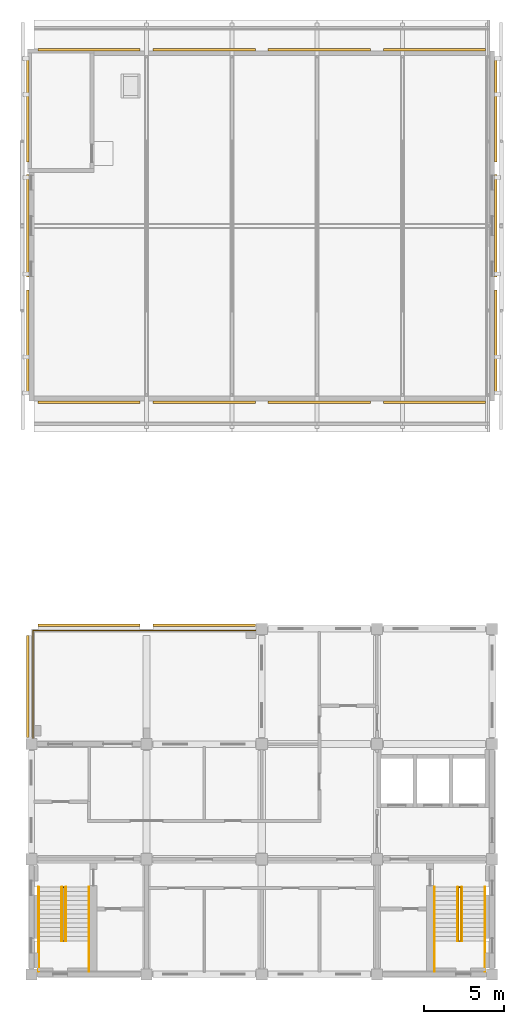
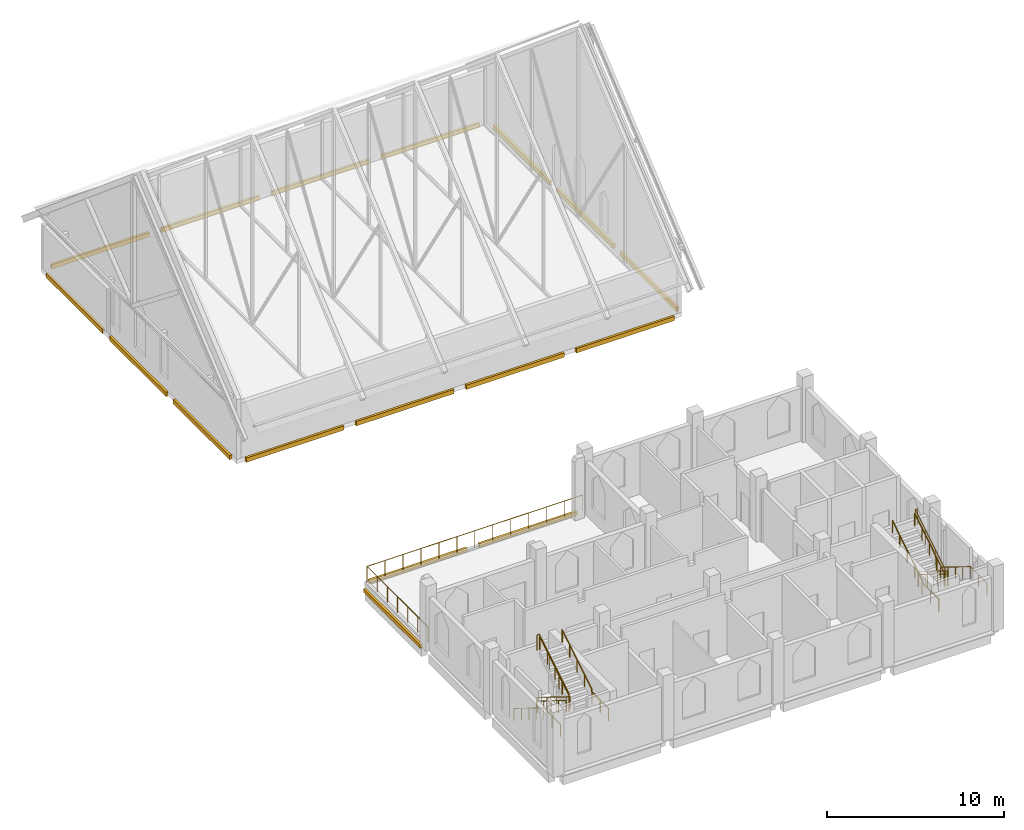
# One storey, part 29 of 29: 17 coverings, 11 railings.
"""IFC4 building model written with IfcOpenShell, lengths in metres."""

from ifc_helpers import new_model, si_unit, direction, frame, origin, origin_2d, place, context, subcontext, project, spatial, rectangle, circle, extrude, material, type_object, element, save


model = new_model("IFC4")

# Units and contexts
model_context = context("Model", 3, precision=1e-05, world=origin(), true_north=direction((0.0, 1.0)))
body_context = subcontext(model_context, "Body", "Model", "MODEL_VIEW")
ifc_project = project(units=[si_unit("LENGTHUNIT", "METRE"), si_unit("AREAUNIT", "SQUARE_METRE"), si_unit("VOLUMEUNIT", "CUBIC_METRE"), si_unit("PLANEANGLEUNIT", "RADIAN"), si_unit("MASSUNIT", "GRAM", prefix="KILO")], contexts=[model_context])

# Site, building, storey
site_placement = place(None, origin())
site = spatial("IfcSite", under=ifc_project, at=site_placement, CompositionType="ELEMENT")
building_placement = place(site_placement, origin())
building = spatial("IfcBuilding", under=site, at=building_placement, Name="Silangan Lancet Faculty of Sciences", CompositionType="ELEMENT")
storey_placement = place(building_placement, frame((0.0, 0.0, 54.300048828125)))
storey = spatial("IfcBuildingStorey", under=building, at=storey_placement, Name="L11", CompositionType="ELEMENT", Elevation=54.300048828125)

# Coverings
ifc_material_1 = material(Name="Concrete C40/50 precast", Category="concrete")
covering_type_1 = type_object("IfcCoveringType", Name="SC1 Precast string course 250 x 150", PredefinedType="CLADDING", material=ifc_material_1)
for number, where, z_axis, x_axis, name in (
    (1, (10.800048828125, 21.824951171875, -0.25), (0.0, 0.0, 1.0), (1.0, 0.0, 0.0), "SC-TERRACE-N-ST-02"),
    (2, (3.60009765625, 21.824951171875, -0.25), (0.0, 0.0, 1.0), (1.0, 0.0, 0.0), "SC-TERRACE-N-ST-03"),
):
    element("IfcCovering", number, at=place(storey_placement, frame(where, z_axis=z_axis, x_axis=x_axis)), inside=storey, type_object=covering_type_1, Name=name, PredefinedType="CLADDING", context=body_context, shape_type="SweptSolid", body=[
        extrude(rectangle(XDim=6.39990234375, YDim=0.14990234375, at=origin_2d()), origin(), (0.0, 0.0, 1.0), 0.25),
    ])
covering_placement = place(storey_placement, frame((-0.22509765625, 18.0, -0.25), z_axis=(0.0, 0.0, 1.0), x_axis=(1.0, 0.0, 0.0)))
element("IfcCovering", 3, at=covering_placement, inside=storey, type_object=covering_type_1, Name="SC-TERRACE-W-ST-02", PredefinedType="CLADDING", context=body_context, shape_type="SweptSolid", body=[
    extrude(rectangle(XDim=0.14990234375, YDim=6.39990234375, at=origin_2d()), origin(), (0.0, 0.0, 1.0), 0.25),
])
ifc_material_2 = material(Name="Concrete C40/50 precast", Category="concrete")
covering_type_2 = type_object("IfcCoveringType", Name="SC2 Precast string course 300 x 150", PredefinedType="CLADDING", material=ifc_material_2)
for number, where, z_axis, x_axis, name in (
    (4, (29.02490234375, 39.60009765625, -0.30029296875), (0.0, 0.0, 1.0), (1.0, 0.0, 0.0), "SC-ROOF-E-NT-00"),
    (5, (29.02490234375, 46.800048828125, -0.30029296875), (0.0, 0.0, 1.0), (1.0, 0.0, 0.0), "SC-ROOF-E-NT-01"),
    (6, (29.02490234375, 54.0, -0.30029296875), (0.0, 0.0, 1.0), (1.0, 0.0, 0.0), "SC-ROOF-E-NT-02"),
):
    element("IfcCovering", number, at=place(storey_placement, frame(where, z_axis=z_axis, x_axis=x_axis)), inside=storey, type_object=covering_type_2, Name=name, PredefinedType="CLADDING", context=body_context, shape_type="SweptSolid", body=[
        extrude(rectangle(XDim=0.14990234375, YDim=6.39990234375, at=origin_2d()), origin(), (0.0, 0.0, 1.0), 0.300048828125),
    ])
for number, where, z_axis, x_axis, name in (
    (7, (25.199951171875, 57.824951171875, -0.30029296875), (0.0, 0.0, 1.0), (1.0, 0.0, 0.0), "SC-ROOF-N-NT-00"),
    (8, (18.0, 57.824951171875, -0.30029296875), (0.0, 0.0, 1.0), (1.0, 0.0, 0.0), "SC-ROOF-N-NT-01"),
    (9, (10.800048828125, 57.824951171875, -0.30029296875), (0.0, 0.0, 1.0), (1.0, 0.0, 0.0), "SC-ROOF-N-NT-02"),
    (10, (3.60009765625, 57.824951171875, -0.30029296875), (0.0, 0.0, 1.0), (1.0, 0.0, 0.0), "SC-ROOF-N-NT-03"),
    (11, (3.60009765625, 35.77490234375, -0.30029296875), (0.0, 0.0, 1.0), (1.0, 0.0, 0.0), "SC-ROOF-S-NT-00"),
    (12, (10.800048828125, 35.77490234375, -0.30029296875), (0.0, 0.0, 1.0), (1.0, 0.0, 0.0), "SC-ROOF-S-NT-01"),
    (13, (18.0, 35.77490234375, -0.30029296875), (0.0, 0.0, 1.0), (1.0, 0.0, 0.0), "SC-ROOF-S-NT-02"),
    (14, (25.199951171875, 35.77490234375, -0.30029296875), (0.0, 0.0, 1.0), (1.0, 0.0, 0.0), "SC-ROOF-S-NT-03"),
):
    element("IfcCovering", number, at=place(storey_placement, frame(where, z_axis=z_axis, x_axis=x_axis)), inside=storey, type_object=covering_type_2, Name=name, PredefinedType="CLADDING", context=body_context, shape_type="SweptSolid", body=[
        extrude(rectangle(XDim=6.39990234375, YDim=0.14990234375, at=origin_2d()), origin(), (0.0, 0.0, 1.0), 0.300048828125),
    ])
for number, where, z_axis, x_axis, name in (
    (15, (-0.22509765625, 39.60009765625, -0.30029296875), (0.0, 0.0, 1.0), (1.0, 0.0, 0.0), "SC-ROOF-W-NT-00"),
    (16, (-0.22509765625, 46.800048828125, -0.30029296875), (0.0, 0.0, 1.0), (1.0, 0.0, 0.0), "SC-ROOF-W-NT-01"),
    (17, (-0.22509765625, 54.0, -0.30029296875), (0.0, 0.0, 1.0), (1.0, 0.0, 0.0), "SC-ROOF-W-NT-02"),
):
    element("IfcCovering", number, at=place(storey_placement, frame(where, z_axis=z_axis, x_axis=x_axis)), inside=storey, type_object=covering_type_2, Name=name, PredefinedType="CLADDING", context=body_context, shape_type="SweptSolid", body=[
        extrude(rectangle(XDim=0.14990234375, YDim=6.39990234375, at=origin_2d()), origin(), (0.0, 0.0, 1.0), 0.300048828125),
    ])

# Railings
ifc_material_3 = material(Name="Steel balustrade", Category="steel")
railing_type_1 = type_object("IfcRailingType", Name="STAIR GUARD 1100", PredefinedType="GUARDRAIL", material=ifc_material_3)
railing_1_placement = place(storey_placement, frame((1.949951171875, 5.449951171875, 0.173095703125)))
element("IfcRailing", 18, at=railing_1_placement, inside=storey, type_object=railing_type_1, Name="GUARD-ST-A-L11", PredefinedType="GUARDRAIL", context=body_context, shape_type="SweptSolid", body=[
    extrude(circle(Radius=0.02392578125, at=origin_2d()), frame((0.0, 0.0, 1.076171875), z_axis=(0.0, -0.850606129759, 0.525803396734), x_axis=(1.0, 0.0, 0.0)), (0.0, 0.0, 1.0), 3.949951171875),
    extrude(circle(Radius=0.02392578125, at=origin_2d()), frame((0.0, -3.35986328125, 3.15283203125), z_axis=(1.0, 0.0, 0.0), x_axis=(0.0, 1.0, 0.0)), (0.0, 0.0, 1.0), 0.150146484375),
    extrude(circle(Radius=0.02392578125, at=origin_2d()), frame((0.150146484375, -3.35986328125, 3.15283203125), z_axis=(0.0, 0.0, 1.0), x_axis=(1.0, 0.0, 0.0)), (0.0, 0.0, 1.0), 0.173095703125),
    extrude(circle(Radius=0.02392578125, at=origin_2d()), frame((0.150146484375, -3.35986328125, 3.326171875), z_axis=(0.0, 0.850606129759, 0.525803396734), x_axis=(-1.0, 0.0, 0.0)), (0.0, 0.0, 1.0), 3.949951171875),
    extrude(circle(Radius=0.02392578125, at=origin_2d()), frame((0.150146484375, 0.0, 5.40283203125), z_axis=(-1.0, 0.0, 0.0), x_axis=(0.0, -1.0, 0.0)), (0.0, 0.0, 1.0), 0.150146484375),
    extrude(circle(Radius=0.02099609375, at=origin_2d()), origin(), (0.0, 0.0, 1.0), 1.052001953125),
    extrude(circle(Radius=0.02099609375, at=origin_2d()), frame((0.0, -1.119873046875, 0.6923828125)), (0.0, 0.0, 1.0), 1.052001953125),
    extrude(circle(Radius=0.02099609375, at=origin_2d()), frame((0.0, -2.239990234375, 1.384521484375)), (0.0, 0.0, 1.0), 1.052001953125),
    extrude(circle(Radius=0.02099609375, at=origin_2d()), frame((0.0, -3.35986328125, 2.076904296875)), (0.0, 0.0, 1.0), 1.052001953125),
    extrude(circle(Radius=0.02099609375, at=origin_2d()), frame((0.150146484375, -3.35986328125, 2.076904296875)), (0.0, 0.0, 1.0), 1.052001953125),
    extrude(circle(Radius=0.02099609375, at=origin_2d()), frame((0.150146484375, -3.35986328125, 2.25)), (0.0, 0.0, 1.0), 1.052001953125),
    extrude(circle(Radius=0.02099609375, at=origin_2d()), frame((0.150146484375, -2.239990234375, 2.9423828125)), (0.0, 0.0, 1.0), 1.052001953125),
    extrude(circle(Radius=0.02099609375, at=origin_2d()), frame((0.150146484375, -1.119873046875, 3.634521484375)), (0.0, 0.0, 1.0), 1.052001953125),
    extrude(circle(Radius=0.02099609375, at=origin_2d()), frame((0.150146484375, 0.0, 4.326904296875)), (0.0, 0.0, 1.0), 1.052001953125),
    extrude(circle(Radius=0.02099609375, at=origin_2d()), frame((0.0, 0.0, 4.326904296875)), (0.0, 0.0, 1.0), 1.052001953125),
])
railing_2_placement = place(storey_placement, frame((26.85009765625, 5.449951171875, 0.173095703125)))
element("IfcRailing", 19, at=railing_2_placement, inside=storey, type_object=railing_type_1, Name="GUARD-ST-B-L11", PredefinedType="GUARDRAIL", context=body_context, shape_type="SweptSolid", body=[
    extrude(circle(Radius=0.02392578125, at=origin_2d()), frame((0.0, 0.0, 1.076171875), z_axis=(0.0, -0.850606129759, 0.525803396734), x_axis=(1.0, 0.0, 0.0)), (0.0, 0.0, 1.0), 3.949951171875),
    extrude(circle(Radius=0.02392578125, at=origin_2d()), frame((0.0, -3.35986328125, 3.15283203125), z_axis=(-1.0, 0.0, 0.0), x_axis=(0.0, -1.0, 0.0)), (0.0, 0.0, 1.0), 0.150146484375),
    extrude(circle(Radius=0.02392578125, at=origin_2d()), frame((-0.150146484375, -3.35986328125, 3.15283203125), z_axis=(0.0, 0.0, 1.0), x_axis=(1.0, 0.0, 0.0)), (0.0, 0.0, 1.0), 0.173095703125),
    extrude(circle(Radius=0.02392578125, at=origin_2d()), frame((-0.150146484375, -3.35986328125, 3.326171875), z_axis=(0.0, 0.850606129759, 0.525803396734), x_axis=(-1.0, 0.0, 0.0)), (0.0, 0.0, 1.0), 3.949951171875),
    extrude(circle(Radius=0.02392578125, at=origin_2d()), frame((-0.150146484375, 0.0, 5.40283203125), z_axis=(1.0, 0.0, 0.0), x_axis=(0.0, 1.0, 0.0)), (0.0, 0.0, 1.0), 0.150146484375),
    extrude(circle(Radius=0.02099609375, at=origin_2d()), origin(), (0.0, 0.0, 1.0), 1.052001953125),
    extrude(circle(Radius=0.02099609375, at=origin_2d()), frame((0.0, -1.119873046875, 0.6923828125)), (0.0, 0.0, 1.0), 1.052001953125),
    extrude(circle(Radius=0.02099609375, at=origin_2d()), frame((0.0, -2.239990234375, 1.384521484375)), (0.0, 0.0, 1.0), 1.052001953125),
    extrude(circle(Radius=0.02099609375, at=origin_2d()), frame((0.0, -3.35986328125, 2.076904296875)), (0.0, 0.0, 1.0), 1.052001953125),
    extrude(circle(Radius=0.02099609375, at=origin_2d()), frame((-0.150146484375, -3.35986328125, 2.076904296875)), (0.0, 0.0, 1.0), 1.052001953125),
    extrude(circle(Radius=0.02099609375, at=origin_2d()), frame((-0.150146484375, -3.35986328125, 2.25)), (0.0, 0.0, 1.0), 1.052001953125),
    extrude(circle(Radius=0.02099609375, at=origin_2d()), frame((-0.150146484375, -2.239990234375, 2.9423828125)), (0.0, 0.0, 1.0), 1.052001953125),
    extrude(circle(Radius=0.02099609375, at=origin_2d()), frame((-0.150146484375, -1.119873046875, 3.634521484375)), (0.0, 0.0, 1.0), 1.052001953125),
    extrude(circle(Radius=0.02099609375, at=origin_2d()), frame((-0.150146484375, 0.0, 4.326904296875)), (0.0, 0.0, 1.0), 1.052001953125),
    extrude(circle(Radius=0.02099609375, at=origin_2d()), frame((0.0, 0.0, 4.326904296875)), (0.0, 0.0, 1.0), 1.052001953125),
])
ifc_material_4 = material(Name="Stainless steel", Category="steel")
railing_type_2 = type_object("IfcRailingType", Name="STAIR HANDRAIL 865", PredefinedType="HANDRAIL", material=ifc_material_4)
railing_3_placement = place(storey_placement, frame((0.449951171875, 5.449951171875, 0.173095703125)))
element("IfcRailing", 20, at=railing_3_placement, inside=storey, type_object=railing_type_2, Name="HANDRAIL-ST-A-L11-O1", PredefinedType="HANDRAIL", context=body_context, shape_type="SweptSolid", body=[
    extrude(circle(Radius=0.02392578125, at=origin_2d()), frame((0.0, 0.0, 0.8408203125), z_axis=(0.0, -0.850654891397, 0.525724505556), x_axis=(1.0, 0.0, 0.0)), (0.0, 0.0, 1.0), 0.9873046875),
    extrude(circle(Radius=0.02392578125, at=origin_2d()), frame((0.0, -0.83984375, 1.35986328125), z_axis=(0.0, -0.85061266112, 0.525792830631), x_axis=(1.0, 0.0, 0.0)), (0.0, 0.0, 1.0), 0.987548828125),
    extrude(circle(Radius=0.02392578125, at=origin_2d()), frame((0.0, -1.679931640625, 1.87939453125), z_axis=(0.0, -0.85061266112, 0.525792830631), x_axis=(1.0, 0.0, 0.0)), (0.0, 0.0, 1.0), 0.987548828125),
    extrude(circle(Radius=0.02392578125, at=origin_2d()), frame((0.0, -2.52001953125, 2.3984375), z_axis=(0.0, -0.850544299321, 0.52590340833), x_axis=(1.0, 0.0, 0.0)), (0.0, 0.0, 1.0), 0.9873046875),
    extrude(circle(Radius=0.02392578125, at=origin_2d()), frame((0.0, -3.35986328125, 2.91796875), z_axis=(0.0, -1.0, 0.0), x_axis=(1.0, 0.0, 0.0)), (0.0, 0.0, 1.0), 1.89013671875),
    extrude(circle(Radius=0.02099609375, at=origin_2d()), origin(), (0.0, 0.0, 1.0), 0.81689453125),
    extrude(circle(Radius=0.02099609375, at=origin_2d()), frame((0.0, -0.83984375, 0.51904296875)), (0.0, 0.0, 1.0), 0.81689453125),
    extrude(circle(Radius=0.02099609375, at=origin_2d()), frame((0.0, -1.679931640625, 1.038330078125)), (0.0, 0.0, 1.0), 0.81689453125),
    extrude(circle(Radius=0.02099609375, at=origin_2d()), frame((0.0, -2.52001953125, 1.5576171875)), (0.0, 0.0, 1.0), 0.81689453125),
    extrude(circle(Radius=0.02099609375, at=origin_2d()), frame((0.0, -3.35986328125, 2.076904296875)), (0.0, 0.0, 1.0), 0.81689453125),
    extrude(circle(Radius=0.02099609375, at=origin_2d()), frame((0.0, -4.304931640625, 2.076904296875)), (0.0, 0.0, 1.0), 0.81689453125),
    extrude(circle(Radius=0.02099609375, at=origin_2d()), frame((0.0, -5.25, 2.076904296875)), (0.0, 0.0, 1.0), 0.81689453125),
])
railing_4_placement = place(storey_placement, frame((1.89990234375, 5.449951171875, 0.173095703125)))
element("IfcRailing", 21, at=railing_4_placement, inside=storey, type_object=railing_type_2, Name="HANDRAIL-ST-A-L11-I1", PredefinedType="HANDRAIL", context=body_context, shape_type="SweptSolid", body=[
    extrude(circle(Radius=0.02392578125, at=origin_2d()), frame((0.0, 0.0, 0.8408203125), z_axis=(0.0, -0.850654891397, 0.525724505556), x_axis=(1.0, 0.0, 0.0)), (0.0, 0.0, 1.0), 0.9873046875),
    extrude(circle(Radius=0.02392578125, at=origin_2d()), frame((0.0, -0.83984375, 1.35986328125), z_axis=(0.0, -0.85061266112, 0.525792830631), x_axis=(1.0, 0.0, 0.0)), (0.0, 0.0, 1.0), 0.987548828125),
    extrude(circle(Radius=0.02392578125, at=origin_2d()), frame((0.0, -1.679931640625, 1.87939453125), z_axis=(0.0, -0.85061266112, 0.525792830631), x_axis=(1.0, 0.0, 0.0)), (0.0, 0.0, 1.0), 0.987548828125),
    extrude(circle(Radius=0.02392578125, at=origin_2d()), frame((0.0, -2.52001953125, 2.3984375), z_axis=(0.0, -0.850544299321, 0.52590340833), x_axis=(1.0, 0.0, 0.0)), (0.0, 0.0, 1.0), 0.9873046875),
    extrude(circle(Radius=0.02099609375, at=origin_2d()), origin(), (0.0, 0.0, 1.0), 0.81689453125),
    extrude(circle(Radius=0.02099609375, at=origin_2d()), frame((0.0, -0.83984375, 0.51904296875)), (0.0, 0.0, 1.0), 0.81689453125),
    extrude(circle(Radius=0.02099609375, at=origin_2d()), frame((0.0, -1.679931640625, 1.038330078125)), (0.0, 0.0, 1.0), 0.81689453125),
    extrude(circle(Radius=0.02099609375, at=origin_2d()), frame((0.0, -2.52001953125, 1.5576171875)), (0.0, 0.0, 1.0), 0.81689453125),
    extrude(circle(Radius=0.02099609375, at=origin_2d()), frame((0.0, -3.35986328125, 2.076904296875)), (0.0, 0.0, 1.0), 0.81689453125),
])
railing_5_placement = place(storey_placement, frame((3.60009765625, 0.199951171875, 2.25)))
element("IfcRailing", 22, at=railing_5_placement, inside=storey, type_object=railing_type_2, Name="HANDRAIL-ST-A-L11-O2", PredefinedType="HANDRAIL", context=body_context, shape_type="SweptSolid", body=[
    extrude(circle(Radius=0.02392578125, at=origin_2d()), frame((0.0, 0.0, 0.8408203125), z_axis=(0.0, 1.0, 0.0), x_axis=(-1.0, 0.0, 0.0)), (0.0, 0.0, 1.0), 1.89013671875),
    extrude(circle(Radius=0.02392578125, at=origin_2d()), frame((0.0, 1.89013671875, 0.8408203125), z_axis=(0.0, 0.0, 1.0), x_axis=(1.0, 0.0, 0.0)), (0.0, 0.0, 1.0), 0.173095703125),
    extrude(circle(Radius=0.02392578125, at=origin_2d()), frame((0.0, 1.89013671875, 1.01416015625), z_axis=(0.0, 0.850654891397, 0.525724505556), x_axis=(-1.0, 0.0, 0.0)), (0.0, 0.0, 1.0), 0.9873046875),
    extrude(circle(Radius=0.02392578125, at=origin_2d()), frame((0.0, 2.72998046875, 1.533203125), z_axis=(0.0, 0.85061266112, 0.525792830631), x_axis=(-1.0, 0.0, 0.0)), (0.0, 0.0, 1.0), 0.987548828125),
    extrude(circle(Radius=0.02392578125, at=origin_2d()), frame((0.0, 3.570068359375, 2.05224609375), z_axis=(0.0, 0.85061266112, 0.525792830631), x_axis=(-1.0, 0.0, 0.0)), (0.0, 0.0, 1.0), 0.987548828125),
    extrude(circle(Radius=0.02392578125, at=origin_2d()), frame((0.0, 4.41015625, 2.57177734375), z_axis=(0.0, 0.850544299321, 0.52590340833), x_axis=(-1.0, 0.0, 0.0)), (0.0, 0.0, 1.0), 0.9873046875),
    extrude(circle(Radius=0.02099609375, at=origin_2d()), origin(), (0.0, 0.0, 1.0), 0.81689453125),
    extrude(circle(Radius=0.02099609375, at=origin_2d()), frame((0.0, 0.945068359375, 0.0)), (0.0, 0.0, 1.0), 0.81689453125),
    extrude(circle(Radius=0.02099609375, at=origin_2d()), frame((0.0, 1.89013671875, 0.0)), (0.0, 0.0, 1.0), 0.81689453125),
    extrude(circle(Radius=0.02099609375, at=origin_2d()), frame((0.0, 1.89013671875, 0.173095703125)), (0.0, 0.0, 1.0), 0.81689453125),
    extrude(circle(Radius=0.02099609375, at=origin_2d()), frame((0.0, 2.72998046875, 0.692138671875)), (0.0, 0.0, 1.0), 0.81689453125),
    extrude(circle(Radius=0.02099609375, at=origin_2d()), frame((0.0, 3.570068359375, 1.21142578125)), (0.0, 0.0, 1.0), 0.81689453125),
    extrude(circle(Radius=0.02099609375, at=origin_2d()), frame((0.0, 4.41015625, 1.730712890625)), (0.0, 0.0, 1.0), 0.81689453125),
    extrude(circle(Radius=0.02099609375, at=origin_2d()), frame((0.0, 5.25, 2.25)), (0.0, 0.0, 1.0), 0.81689453125),
])
railing_6_placement = place(storey_placement, frame((2.14990234375, 2.090087890625, 2.423095703125)))
element("IfcRailing", 23, at=railing_6_placement, inside=storey, type_object=railing_type_2, Name="HANDRAIL-ST-A-L11-I2", PredefinedType="HANDRAIL", context=body_context, shape_type="SweptSolid", body=[
    extrude(circle(Radius=0.02392578125, at=origin_2d()), frame((0.0, 0.0, 0.8408203125), z_axis=(0.0, 0.850654891397, 0.525724505556), x_axis=(-1.0, 0.0, 0.0)), (0.0, 0.0, 1.0), 0.9873046875),
    extrude(circle(Radius=0.02392578125, at=origin_2d()), frame((0.0, 0.83984375, 1.35986328125), z_axis=(0.0, 0.85061266112, 0.525792830631), x_axis=(-1.0, 0.0, 0.0)), (0.0, 0.0, 1.0), 0.987548828125),
    extrude(circle(Radius=0.02392578125, at=origin_2d()), frame((0.0, 1.679931640625, 1.87939453125), z_axis=(0.0, 0.85061266112, 0.525792830631), x_axis=(-1.0, 0.0, 0.0)), (0.0, 0.0, 1.0), 0.987548828125),
    extrude(circle(Radius=0.02392578125, at=origin_2d()), frame((0.0, 2.52001953125, 2.3984375), z_axis=(0.0, 0.850544299321, 0.52590340833), x_axis=(-1.0, 0.0, 0.0)), (0.0, 0.0, 1.0), 0.9873046875),
    extrude(circle(Radius=0.02099609375, at=origin_2d()), origin(), (0.0, 0.0, 1.0), 0.81689453125),
    extrude(circle(Radius=0.02099609375, at=origin_2d()), frame((0.0, 0.83984375, 0.51904296875)), (0.0, 0.0, 1.0), 0.81689453125),
    extrude(circle(Radius=0.02099609375, at=origin_2d()), frame((0.0, 1.679931640625, 1.038330078125)), (0.0, 0.0, 1.0), 0.81689453125),
    extrude(circle(Radius=0.02099609375, at=origin_2d()), frame((0.0, 2.52001953125, 1.5576171875)), (0.0, 0.0, 1.0), 0.81689453125),
    extrude(circle(Radius=0.02099609375, at=origin_2d()), frame((0.0, 3.35986328125, 2.076904296875)), (0.0, 0.0, 1.0), 0.81689453125),
])
railing_7_placement = place(storey_placement, frame((28.35009765625, 5.449951171875, 0.173095703125)))
element("IfcRailing", 24, at=railing_7_placement, inside=storey, type_object=railing_type_2, Name="HANDRAIL-ST-B-L11-O1", PredefinedType="HANDRAIL", context=body_context, shape_type="SweptSolid", body=[
    extrude(circle(Radius=0.02392578125, at=origin_2d()), frame((0.0, 0.0, 0.8408203125), z_axis=(0.0, -0.850654891397, 0.525724505556), x_axis=(1.0, 0.0, 0.0)), (0.0, 0.0, 1.0), 0.9873046875),
    extrude(circle(Radius=0.02392578125, at=origin_2d()), frame((0.0, -0.83984375, 1.35986328125), z_axis=(0.0, -0.85061266112, 0.525792830631), x_axis=(1.0, 0.0, 0.0)), (0.0, 0.0, 1.0), 0.987548828125),
    extrude(circle(Radius=0.02392578125, at=origin_2d()), frame((0.0, -1.679931640625, 1.87939453125), z_axis=(0.0, -0.85061266112, 0.525792830631), x_axis=(1.0, 0.0, 0.0)), (0.0, 0.0, 1.0), 0.987548828125),
    extrude(circle(Radius=0.02392578125, at=origin_2d()), frame((0.0, -2.52001953125, 2.3984375), z_axis=(0.0, -0.850544299321, 0.52590340833), x_axis=(1.0, 0.0, 0.0)), (0.0, 0.0, 1.0), 0.9873046875),
    extrude(circle(Radius=0.02392578125, at=origin_2d()), frame((0.0, -3.35986328125, 2.91796875), z_axis=(0.0, -1.0, 0.0), x_axis=(1.0, 0.0, 0.0)), (0.0, 0.0, 1.0), 1.89013671875),
    extrude(circle(Radius=0.02099609375, at=origin_2d()), origin(), (0.0, 0.0, 1.0), 0.81689453125),
    extrude(circle(Radius=0.02099609375, at=origin_2d()), frame((0.0, -0.83984375, 0.51904296875)), (0.0, 0.0, 1.0), 0.81689453125),
    extrude(circle(Radius=0.02099609375, at=origin_2d()), frame((0.0, -1.679931640625, 1.038330078125)), (0.0, 0.0, 1.0), 0.81689453125),
    extrude(circle(Radius=0.02099609375, at=origin_2d()), frame((0.0, -2.52001953125, 1.5576171875)), (0.0, 0.0, 1.0), 0.81689453125),
    extrude(circle(Radius=0.02099609375, at=origin_2d()), frame((0.0, -3.35986328125, 2.076904296875)), (0.0, 0.0, 1.0), 0.81689453125),
    extrude(circle(Radius=0.02099609375, at=origin_2d()), frame((0.0, -4.304931640625, 2.076904296875)), (0.0, 0.0, 1.0), 0.81689453125),
    extrude(circle(Radius=0.02099609375, at=origin_2d()), frame((0.0, -5.25, 2.076904296875)), (0.0, 0.0, 1.0), 0.81689453125),
])
railing_8_placement = place(storey_placement, frame((26.89990234375, 5.449951171875, 0.173095703125)))
element("IfcRailing", 25, at=railing_8_placement, inside=storey, type_object=railing_type_2, Name="HANDRAIL-ST-B-L11-I1", PredefinedType="HANDRAIL", context=body_context, shape_type="SweptSolid", body=[
    extrude(circle(Radius=0.02392578125, at=origin_2d()), frame((0.0, 0.0, 0.8408203125), z_axis=(0.0, -0.850654891397, 0.525724505556), x_axis=(1.0, 0.0, 0.0)), (0.0, 0.0, 1.0), 0.9873046875),
    extrude(circle(Radius=0.02392578125, at=origin_2d()), frame((0.0, -0.83984375, 1.35986328125), z_axis=(0.0, -0.85061266112, 0.525792830631), x_axis=(1.0, 0.0, 0.0)), (0.0, 0.0, 1.0), 0.987548828125),
    extrude(circle(Radius=0.02392578125, at=origin_2d()), frame((0.0, -1.679931640625, 1.87939453125), z_axis=(0.0, -0.85061266112, 0.525792830631), x_axis=(1.0, 0.0, 0.0)), (0.0, 0.0, 1.0), 0.987548828125),
    extrude(circle(Radius=0.02392578125, at=origin_2d()), frame((0.0, -2.52001953125, 2.3984375), z_axis=(0.0, -0.850544299321, 0.52590340833), x_axis=(1.0, 0.0, 0.0)), (0.0, 0.0, 1.0), 0.9873046875),
    extrude(circle(Radius=0.02099609375, at=origin_2d()), origin(), (0.0, 0.0, 1.0), 0.81689453125),
    extrude(circle(Radius=0.02099609375, at=origin_2d()), frame((0.0, -0.83984375, 0.51904296875)), (0.0, 0.0, 1.0), 0.81689453125),
    extrude(circle(Radius=0.02099609375, at=origin_2d()), frame((0.0, -1.679931640625, 1.038330078125)), (0.0, 0.0, 1.0), 0.81689453125),
    extrude(circle(Radius=0.02099609375, at=origin_2d()), frame((0.0, -2.52001953125, 1.5576171875)), (0.0, 0.0, 1.0), 0.81689453125),
    extrude(circle(Radius=0.02099609375, at=origin_2d()), frame((0.0, -3.35986328125, 2.076904296875)), (0.0, 0.0, 1.0), 0.81689453125),
])
railing_9_placement = place(storey_placement, frame((25.199951171875, 0.199951171875, 2.25)))
element("IfcRailing", 26, at=railing_9_placement, inside=storey, type_object=railing_type_2, Name="HANDRAIL-ST-B-L11-O2", PredefinedType="HANDRAIL", context=body_context, shape_type="SweptSolid", body=[
    extrude(circle(Radius=0.02392578125, at=origin_2d()), frame((0.0, 0.0, 0.8408203125), z_axis=(0.0, 1.0, 0.0), x_axis=(-1.0, 0.0, 0.0)), (0.0, 0.0, 1.0), 1.89013671875),
    extrude(circle(Radius=0.02392578125, at=origin_2d()), frame((0.0, 1.89013671875, 0.8408203125), z_axis=(0.0, 0.0, 1.0), x_axis=(1.0, 0.0, 0.0)), (0.0, 0.0, 1.0), 0.173095703125),
    extrude(circle(Radius=0.02392578125, at=origin_2d()), frame((0.0, 1.89013671875, 1.01416015625), z_axis=(0.0, 0.850654891397, 0.525724505556), x_axis=(-1.0, 0.0, 0.0)), (0.0, 0.0, 1.0), 0.9873046875),
    extrude(circle(Radius=0.02392578125, at=origin_2d()), frame((0.0, 2.72998046875, 1.533203125), z_axis=(0.0, 0.85061266112, 0.525792830631), x_axis=(-1.0, 0.0, 0.0)), (0.0, 0.0, 1.0), 0.987548828125),
    extrude(circle(Radius=0.02392578125, at=origin_2d()), frame((0.0, 3.570068359375, 2.05224609375), z_axis=(0.0, 0.85061266112, 0.525792830631), x_axis=(-1.0, 0.0, 0.0)), (0.0, 0.0, 1.0), 0.987548828125),
    extrude(circle(Radius=0.02392578125, at=origin_2d()), frame((0.0, 4.41015625, 2.57177734375), z_axis=(0.0, 0.850544299321, 0.52590340833), x_axis=(-1.0, 0.0, 0.0)), (0.0, 0.0, 1.0), 0.9873046875),
    extrude(circle(Radius=0.02099609375, at=origin_2d()), origin(), (0.0, 0.0, 1.0), 0.81689453125),
    extrude(circle(Radius=0.02099609375, at=origin_2d()), frame((0.0, 0.945068359375, 0.0)), (0.0, 0.0, 1.0), 0.81689453125),
    extrude(circle(Radius=0.02099609375, at=origin_2d()), frame((0.0, 1.89013671875, 0.0)), (0.0, 0.0, 1.0), 0.81689453125),
    extrude(circle(Radius=0.02099609375, at=origin_2d()), frame((0.0, 1.89013671875, 0.173095703125)), (0.0, 0.0, 1.0), 0.81689453125),
    extrude(circle(Radius=0.02099609375, at=origin_2d()), frame((0.0, 2.72998046875, 0.692138671875)), (0.0, 0.0, 1.0), 0.81689453125),
    extrude(circle(Radius=0.02099609375, at=origin_2d()), frame((0.0, 3.570068359375, 1.21142578125)), (0.0, 0.0, 1.0), 0.81689453125),
    extrude(circle(Radius=0.02099609375, at=origin_2d()), frame((0.0, 4.41015625, 1.730712890625)), (0.0, 0.0, 1.0), 0.81689453125),
    extrude(circle(Radius=0.02099609375, at=origin_2d()), frame((0.0, 5.25, 2.25)), (0.0, 0.0, 1.0), 0.81689453125),
])
railing_10_placement = place(storey_placement, frame((26.64990234375, 2.090087890625, 2.423095703125)))
element("IfcRailing", 27, at=railing_10_placement, inside=storey, type_object=railing_type_2, Name="HANDRAIL-ST-B-L11-I2", PredefinedType="HANDRAIL", context=body_context, shape_type="SweptSolid", body=[
    extrude(circle(Radius=0.02392578125, at=origin_2d()), frame((0.0, 0.0, 0.8408203125), z_axis=(0.0, 0.850654891397, 0.525724505556), x_axis=(-1.0, 0.0, 0.0)), (0.0, 0.0, 1.0), 0.9873046875),
    extrude(circle(Radius=0.02392578125, at=origin_2d()), frame((0.0, 0.83984375, 1.35986328125), z_axis=(0.0, 0.85061266112, 0.525792830631), x_axis=(-1.0, 0.0, 0.0)), (0.0, 0.0, 1.0), 0.987548828125),
    extrude(circle(Radius=0.02392578125, at=origin_2d()), frame((0.0, 1.679931640625, 1.87939453125), z_axis=(0.0, 0.85061266112, 0.525792830631), x_axis=(-1.0, 0.0, 0.0)), (0.0, 0.0, 1.0), 0.987548828125),
    extrude(circle(Radius=0.02392578125, at=origin_2d()), frame((0.0, 2.52001953125, 2.3984375), z_axis=(0.0, 0.850544299321, 0.52590340833), x_axis=(-1.0, 0.0, 0.0)), (0.0, 0.0, 1.0), 0.9873046875),
    extrude(circle(Radius=0.02099609375, at=origin_2d()), origin(), (0.0, 0.0, 1.0), 0.81689453125),
    extrude(circle(Radius=0.02099609375, at=origin_2d()), frame((0.0, 0.83984375, 0.51904296875)), (0.0, 0.0, 1.0), 0.81689453125),
    extrude(circle(Radius=0.02099609375, at=origin_2d()), frame((0.0, 1.679931640625, 1.038330078125)), (0.0, 0.0, 1.0), 0.81689453125),
    extrude(circle(Radius=0.02099609375, at=origin_2d()), frame((0.0, 2.52001953125, 1.5576171875)), (0.0, 0.0, 1.0), 0.81689453125),
    extrude(circle(Radius=0.02099609375, at=origin_2d()), frame((0.0, 3.35986328125, 2.076904296875)), (0.0, 0.0, 1.0), 0.81689453125),
])
ifc_material_5 = material(Name="Steel balustrade", Category="steel")
railing_type_3 = type_object("IfcRailingType", Name="Terrace edge guard 1100", PredefinedType="GUARDRAIL", material=ifc_material_5)
railing_11_placement = place(storey_placement, frame((14.199951171875, 21.5, 0.14990234375)))
element("IfcRailing", 28, at=railing_11_placement, inside=storey, type_object=railing_type_3, Name="Terrace edge guard ST-T1", PredefinedType="GUARDRAIL", context=body_context, shape_type="SweptSolid", body=[
    extrude(circle(Radius=0.02392578125, at=origin_2d()), frame((0.0, 0.0, 1.076171875), z_axis=(-1.0, 0.0, 0.0), x_axis=(0.0, -1.0, 0.0)), (0.0, 0.0, 1.0), 14.099853515625),
    extrude(circle(Radius=0.02392578125, at=origin_2d()), frame((-14.099853515625, 0.0, 1.076171875), z_axis=(0.0, -1.0, 0.0), x_axis=(1.0, 0.0, 0.0)), (0.0, 0.0, 1.0), 6.89990234375),
    extrude(circle(Radius=0.02099609375, at=origin_2d()), origin(), (0.0, 0.0, 1.0), 1.052001953125),
    extrude(circle(Radius=0.02099609375, at=origin_2d()), frame((-1.175048828125, 0.0, 0.0)), (0.0, 0.0, 1.0), 1.052001953125),
    extrude(circle(Radius=0.02099609375, at=origin_2d()), frame((-2.35009765625, 0.0, 0.0)), (0.0, 0.0, 1.0), 1.052001953125),
    extrude(circle(Radius=0.02099609375, at=origin_2d()), frame((-3.52490234375, 0.0, 0.0)), (0.0, 0.0, 1.0), 1.052001953125),
    extrude(circle(Radius=0.02099609375, at=origin_2d()), frame((-4.699951171875, 0.0, 0.0)), (0.0, 0.0, 1.0), 1.052001953125),
    extrude(circle(Radius=0.02099609375, at=origin_2d()), frame((-5.875, 0.0, 0.0)), (0.0, 0.0, 1.0), 1.052001953125),
    extrude(circle(Radius=0.02099609375, at=origin_2d()), frame((-7.0498046875, 0.0, 0.0)), (0.0, 0.0, 1.0), 1.052001953125),
    extrude(circle(Radius=0.02099609375, at=origin_2d()), frame((-8.224853515625, 0.0, 0.0)), (0.0, 0.0, 1.0), 1.052001953125),
    extrude(circle(Radius=0.02099609375, at=origin_2d()), frame((-9.39990234375, 0.0, 0.0)), (0.0, 0.0, 1.0), 1.052001953125),
    extrude(circle(Radius=0.02099609375, at=origin_2d()), frame((-10.574951171875, 0.0, 0.0)), (0.0, 0.0, 1.0), 1.052001953125),
    extrude(circle(Radius=0.02099609375, at=origin_2d()), frame((-11.75, 0.0, 0.0)), (0.0, 0.0, 1.0), 1.052001953125),
    extrude(circle(Radius=0.02099609375, at=origin_2d()), frame((-12.9248046875, 0.0, 0.0)), (0.0, 0.0, 1.0), 1.052001953125),
    extrude(circle(Radius=0.02099609375, at=origin_2d()), frame((-14.099853515625, 0.0, 0.0)), (0.0, 0.0, 1.0), 1.052001953125),
    extrude(circle(Radius=0.02099609375, at=origin_2d()), frame((-14.099853515625, -1.14990234375, 0.0)), (0.0, 0.0, 1.0), 1.052001953125),
    extrude(circle(Radius=0.02099609375, at=origin_2d()), frame((-14.099853515625, -2.300048828125, 0.0)), (0.0, 0.0, 1.0), 1.052001953125),
    extrude(circle(Radius=0.02099609375, at=origin_2d()), frame((-14.099853515625, -3.449951171875, 0.0)), (0.0, 0.0, 1.0), 1.052001953125),
    extrude(circle(Radius=0.02099609375, at=origin_2d()), frame((-14.099853515625, -4.599853515625, 0.0)), (0.0, 0.0, 1.0), 1.052001953125),
    extrude(circle(Radius=0.02099609375, at=origin_2d()), frame((-14.099853515625, -5.75, 0.0)), (0.0, 0.0, 1.0), 1.052001953125),
    extrude(circle(Radius=0.02099609375, at=origin_2d()), frame((-14.099853515625, -6.89990234375, 0.0)), (0.0, 0.0, 1.0), 1.052001953125),
])

save(model, "model.ifc")
